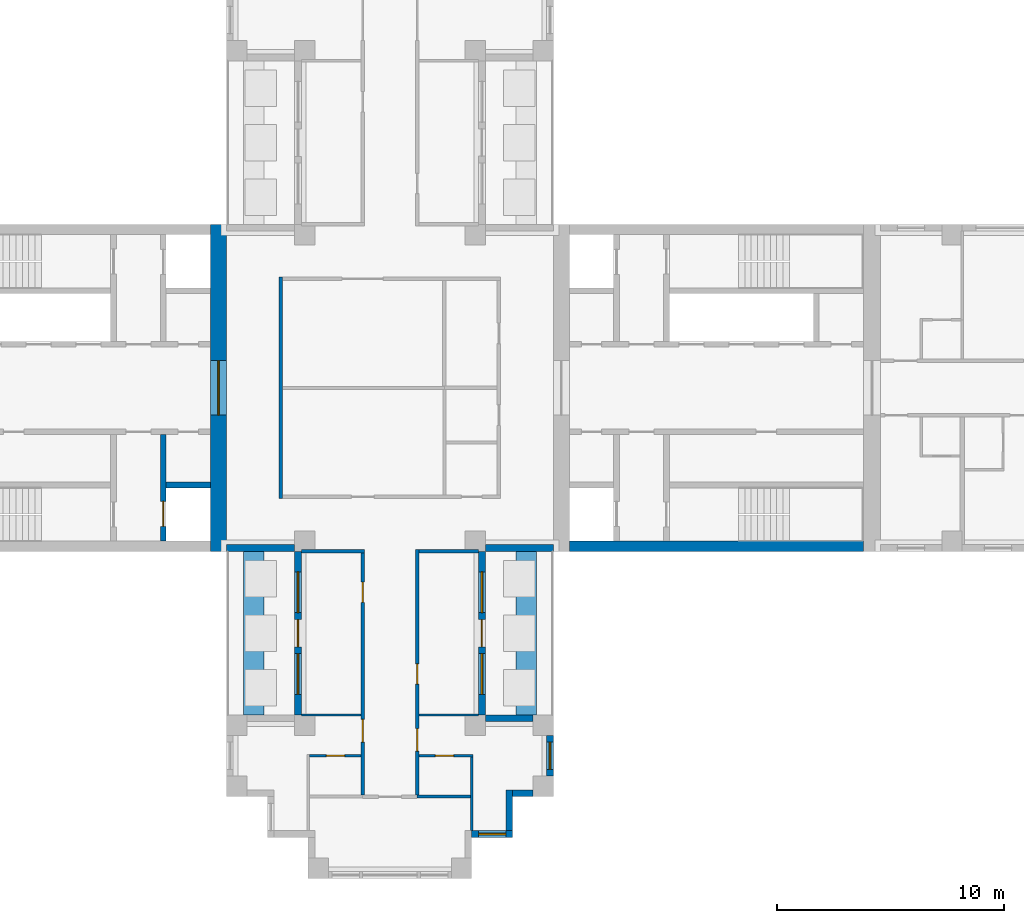
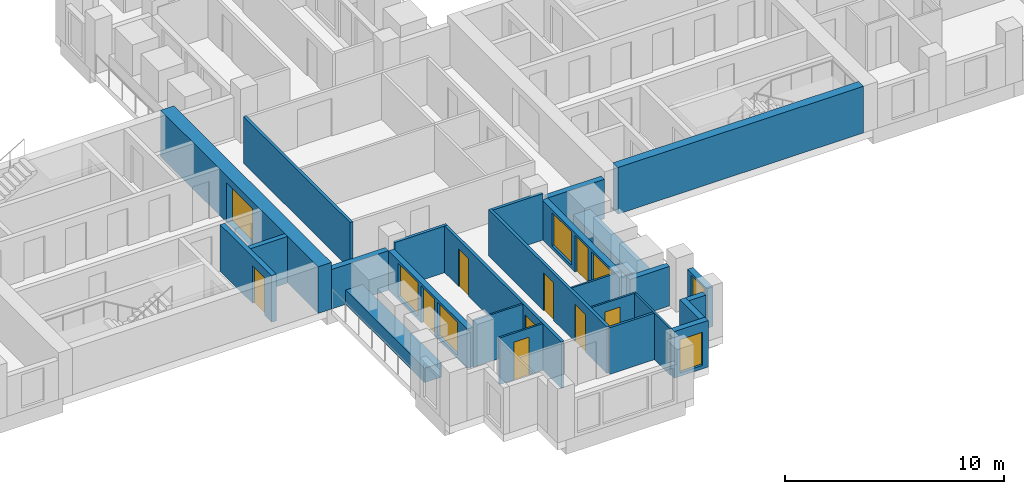
# One storey, part 5 of 12: 26 walls, 10 doors, 6 windows, 16 openings.
"""IFC4 building model written with IfcOpenShell, lengths in metres."""

import ifcopenshell
import ifcopenshell.guid

model = None  # the IFC model being written
_history = None  # IfcOwnerHistory: only IFC2X3 demands one
_inside = {}  # id of a spatial element -> (the spatial element, [elements in it])
_under = {}  # id of a project, library or spatial element -> (it, [spatial elements below it])
_declared = {}  # id of a project -> (the project, [libraries it declares])
_typed = {}  # id of a type object -> (the type object, [elements of that type])
_made_of = {}  # id of a material, layer set ... -> (it, [elements and type objects made of it])


def new_model(schema):
    """Start an empty IFC model of exactly this schema.

    Asked for "IFC4X3", IfcOpenShell would pick the latest addendum, in which some entities
    have other attributes; the version numbers below select the first issue.
    IFC2X3 requires an IfcOwnerHistory on every rooted entity: one is made here for all.
    """
    global model, _history
    if schema == "IFC4X3":
        model = ifcopenshell.file(schema_version=(4, 3, 0, 0))
    else:
        model = ifcopenshell.file(schema=schema)
    _inside.clear()
    _under.clear()
    _declared.clear()
    _typed.clear()
    _made_of.clear()
    _history = None
    if model.schema == "IFC2X3":
        org = make("IfcOrganization", Name="unknown")
        user = make(
            "IfcPersonAndOrganization",
            ThePerson=make("IfcPerson", FamilyName="unknown"),
            TheOrganization=org,
        )
        app = make(
            "IfcApplication",
            ApplicationDeveloper=org,
            Version="unknown",
            ApplicationFullName="unknown",
            ApplicationIdentifier="unknown",
        )
        _history = make(
            "IfcOwnerHistory",
            OwningUser=user,
            OwningApplication=app,
            ChangeAction="ADDED",
            CreationDate=0,
        )
    return model


def make(cls, **values):
    """One entity of the class cls with the attributes given. An attribute that is None is left unset."""
    return model.create_entity(
        cls, **{name: value for name, value in values.items() if value is not None}
    )


def rooted(cls, **values):
    """An entity with a GlobalId (a new one), such as an element, a storey or a relation."""
    return make(cls, GlobalId=ifcopenshell.guid.new(), OwnerHistory=_history, **values)


def si_unit(unit_type, name, prefix=None):
    """IfcSIUnit, for example si_unit("LENGTHUNIT", "METRE", prefix="MILLI")."""
    return make("IfcSIUnit", UnitType=unit_type, Prefix=prefix, Name=name)


def assignment(units):
    """IfcUnitAssignment: the units of a project."""
    return None if units is None else make("IfcUnitAssignment", Units=units)


def point(xyz):
    """IfcCartesianPoint."""
    return None if xyz is None else make("IfcCartesianPoint", Coordinates=xyz)


def direction(xyz):
    """IfcDirection."""
    return None if xyz is None else make("IfcDirection", DirectionRatios=xyz)


def frame(location, z_axis=None, x_axis=None):
    """IfcAxis2Placement3D, a coordinate frame: its origin and axes. An axis left out is left unset."""
    return make(
        "IfcAxis2Placement3D",
        Location=point(location),
        Axis=direction(z_axis),
        RefDirection=direction(x_axis),
    )


def frame_2d(location, x_axis=None):
    """IfcAxis2Placement2D, a coordinate frame in the plane: its origin and x axis."""
    return make(
        "IfcAxis2Placement2D", Location=point(location), RefDirection=direction(x_axis)
    )


def origin():
    """The frame at (0, 0, 0) with its axes left unset."""
    return frame((0.0, 0.0, 0.0))


def place(relative_to, where):
    """IfcLocalPlacement: puts the frame where relative to a parent placement (None: the world)."""
    return make(
        "IfcLocalPlacement", PlacementRelTo=relative_to, RelativePlacement=where
    )


def context(
    kind, dimensions, precision=None, world=None, true_north=None, identifier=None
):
    """IfcGeometricRepresentationContext, for example the 3D "Model" context."""
    return make(
        "IfcGeometricRepresentationContext",
        ContextIdentifier=identifier,
        ContextType=kind,
        CoordinateSpaceDimension=dimensions,
        Precision=precision,
        WorldCoordinateSystem=world,
        TrueNorth=true_north,
    )


def subcontext(parent, identifier, kind, view, scale=None):
    """IfcGeometricRepresentationSubContext, for example "Body" below "Model"."""
    return make(
        "IfcGeometricRepresentationSubContext",
        ContextIdentifier=identifier,
        ContextType=kind,
        ParentContext=parent,
        TargetScale=scale,
        TargetView=view,
    )


def project(units=None, contexts=None):
    """IfcProject with its units and contexts."""
    return rooted(
        "IfcProject",
        Name="project",
        RepresentationContexts=contexts,
        UnitsInContext=assignment(units),
    )


def spatial(cls, under=None, at=None, **own):
    """A site, building, storey or space (cls), placed at a placement, below another one or the project."""
    s = rooted(cls, ObjectPlacement=at, **own)
    if under is not None:
        _under.setdefault(under.id(), (under, []))[1].append(s)
    return s


def profile(cls, at=None, kind="AREA", **sizes):
    """A parametric profile (cls). Its sizes go by their IFC names, for example OverallWidth=200.0."""
    return make(cls, ProfileType=kind, Position=at, **sizes)


def rectangle(**sizes):
    """IfcRectangleProfileDef."""
    return profile("IfcRectangleProfileDef", **sizes)


def extrude(swept, where, along, depth):
    """IfcExtrudedAreaSolid: the profile swept, set in the frame where, extruded along a direction by depth."""
    return make(
        "IfcExtrudedAreaSolid",
        SweptArea=swept,
        Position=where,
        ExtrudedDirection=direction(along),
        Depth=depth,
    )


def shape(context_of_items, identifier, shape_type, items):
    """IfcShapeRepresentation: the items that make up one representation, for example the "Body"."""
    return make(
        "IfcShapeRepresentation",
        ContextOfItems=context_of_items,
        RepresentationIdentifier=identifier,
        RepresentationType=shape_type,
        Items=items,
    )


def material(Name=None, Category=None):
    """IfcMaterial."""
    return make("IfcMaterial", Name=Name, Category=Category)


def layer(
    of_material, thickness, ventilated=None, Name=None, Category=None, Priority=None
):
    """IfcMaterialLayer: one layer of a wall or slab, of a material (None: an air gap)."""
    return make(
        "IfcMaterialLayer",
        Material=of_material,
        LayerThickness=thickness,
        IsVentilated=ventilated,
        Name=Name,
        Category=Category,
        Priority=Priority,
    )


def layer_set(layers, Name=None):
    """IfcMaterialLayerSet."""
    return make("IfcMaterialLayerSet", MaterialLayers=layers, LayerSetName=Name)


def made_of(thing, what):
    """Note that an element or type object is made of a material, layer set ...; save() writes the relation."""
    if what is not None:
        _made_of.setdefault(what.id(), (what, []))[1].append(thing)
    return thing


def type_object(cls, material=None, **own):
    """A type object (cls), such as IfcWallType, which elements share."""
    return made_of(rooted(cls, **own), material)


def element(
    cls,
    number,
    at=None,
    inside=None,
    cuts=None,
    type_object=None,
    material=None,
    context=None,
    identifier="Body",
    shape_type=None,
    held_by="IfcProductDefinitionShape",
    body=None,
    shapes=None,
    **own,
):
    """One element of the class cls, such as IfcWall. Its Tag is "e" and its number.

    at: its placement. inside: the storey or other place that contains it. cuts: it is an
    opening in that element (IfcRelVoidsElement). A single representation is given by context,
    identifier, shape_type and body (its items); several are given by shapes. held_by: the class
    of the entity that holds the representations. save() writes the other relations.
    """
    e = rooted(cls, Tag="e%d" % number, ObjectPlacement=at, **own)
    if body is not None:
        shapes = [shape(context, identifier, shape_type, body)]
    if shapes is not None:
        e.Representation = make(held_by, Representations=shapes)
    if inside is not None:
        _inside.setdefault(inside.id(), (inside, []))[1].append(e)
    if cuts is not None:
        rooted(
            "IfcRelVoidsElement", RelatingBuildingElement=cuts, RelatedOpeningElement=e
        )
    if type_object is not None:
        _typed.setdefault(type_object.id(), (type_object, []))[1].append(e)
    return made_of(e, material)


def fill(opening, filler):
    """IfcRelFillsElement: the door or window that sits in an opening."""
    return rooted(
        "IfcRelFillsElement",
        RelatingOpeningElement=opening,
        RelatedBuildingElement=filler,
    )


def aggregate(whole, parts):
    """IfcRelAggregates: a whole, such as a stair, and the parts it consists of."""
    return rooted("IfcRelAggregates", RelatingObject=whole, RelatedObjects=parts)


def save(model, path):
    """Write the relations noted so far, then the file.

    IfcRelAggregates (storeys below a building ...), IfcRelContainedInSpatialStructure (elements
    in a storey), IfcRelDefinesByType, IfcRelAssociatesMaterial and IfcRelDeclares: one each for
    every whole, place, type object, material and project.
    """
    for whole, parts in _under.values():
        aggregate(whole, parts)
    for where, things in _inside.values():
        rooted(
            "IfcRelContainedInSpatialStructure",
            RelatedElements=things,
            RelatingStructure=where,
        )
    for kind, things in _typed.values():
        rooted("IfcRelDefinesByType", RelatedObjects=things, RelatingType=kind)
    for what, things in _made_of.values():
        rooted("IfcRelAssociatesMaterial", RelatedObjects=things, RelatingMaterial=what)
    for by, libraries in _declared.values():
        rooted("IfcRelDeclares", RelatingContext=by, RelatedDefinitions=libraries)
    model.write(path)


model = new_model("IFC4")

# Units and contexts
model_context = context("Model", 3, precision=1e-05, world=origin(), true_north=direction((0.0, 1.0)))
body_context = subcontext(model_context, "Body", "Model", "MODEL_VIEW")
ifc_project = project(units=[si_unit("LENGTHUNIT", "METRE"), si_unit("AREAUNIT", "SQUARE_METRE"), si_unit("VOLUMEUNIT", "CUBIC_METRE"), si_unit("PLANEANGLEUNIT", "RADIAN"), si_unit("MASSUNIT", "GRAM", prefix="KILO")], contexts=[model_context])

# Site, building, storey
site_placement = place(None, origin())
site = spatial("IfcSite", under=ifc_project, at=site_placement, CompositionType="ELEMENT")
building_placement = place(site_placement, origin())
building = spatial("IfcBuilding", under=site, at=building_placement, Name="Fustian Cross Tower", CompositionType="ELEMENT")
storey_placement = place(building_placement, frame((0.0, 0.0, 135.300048828125)))
storey = spatial("IfcBuildingStorey", under=building, at=storey_placement, Name="L42", CompositionType="ELEMENT", Elevation=135.300048828125)

# Walls
ifc_material_1 = material(Name="Plasterboard on steel stud", Category="steel")
ifc_layer_1 = layer(ifc_material_1, 0.14990234375)
ifc_layer_set_1 = layer_set([ifc_layer_1], Name="Plasterboard on steel stud")
wall_type_1 = type_object("IfcWallType", Name="COMPARTMENT WALL 150 EI 60", PredefinedType="PARTITIONING", material=ifc_layer_set_1)
wall_1_placement = place(storey_placement, frame((-4.800048828125, -4.875, 0.0), z_axis=(0.0, 0.0, 1.0), x_axis=(0.0, 1.0, 0.0)))
element("IfcWall", 1, at=wall_1_placement, inside=storey, type_object=wall_type_1, Name="Partition 16", PredefinedType="PARTITIONING", context=body_context, shape_type="SweptSolid", body=[
    extrude(rectangle(XDim=9.75, YDim=0.14990234375, at=frame_2d((4.875, 0.0))), origin(), (0.0, 0.0, 1.0), 2.599853515625),
])
wall_2_placement = place(storey_placement, frame((-3.89990234375, -7.199951171875, 0.0), z_axis=(0.0, 0.0, 1.0), x_axis=(1.0, 0.0, 0.0)))
element("IfcWall", 2, at=wall_2_placement, inside=storey, type_object=wall_type_1, Name="Partition 21", PredefinedType="PARTITIONING", context=body_context, shape_type="SweptSolid", body=[
    extrude(rectangle(XDim=2.77490234375, YDim=0.14990234375, at=frame_2d((1.387451171875, 0.0))), origin(), (0.0, 0.0, 1.0), 2.599853515625),
])

# Wall, openings, doors
wall_3_placement = place(storey_placement, frame((-1.199951171875, -17.925048828125, 0.0), z_axis=(0.0, 0.0, 1.0), x_axis=(0.0, 1.0, 0.0)))
wall_3 = element("IfcWall", 3, at=wall_3_placement, inside=storey, type_object=wall_type_1, Name="Partition 29", PredefinedType="PARTITIONING", context=body_context, shape_type="SweptSolid", body=[
    extrude(rectangle(XDim=10.650146484375, YDim=0.14990234375, at=frame_2d((5.3251953125, 0.0))), origin(), (0.0, 0.0, 1.0), 2.599853515625),
])
opening_1_placement = place(wall_3_placement, frame((8.47509765625, 0.0, 0.0)))
opening_1 = element("IfcOpeningElement", 4, at=opening_1_placement, cuts=wall_3, Name="Opening D19034", PredefinedType="OPENING", context=body_context, shape_type="SweptSolid", body=[
    extrude(rectangle(XDim=0.89990234375, YDim=2.10009765625, at=frame_2d((0.449951171875, 1.050048828125))), frame((0.0, 0.0849609375, 0.0), z_axis=(0.0, -1.0, 0.0), x_axis=(1.0, 0.0, 0.0)), (0.0, 0.0, 1.0), 0.169921875),
])
opening_2_placement = place(wall_3_placement, frame((2.324951171875, 0.0, 0.0)))
opening_2 = element("IfcOpeningElement", 5, at=opening_2_placement, cuts=wall_3, Name="Opening D19036", PredefinedType="OPENING", context=body_context, shape_type="SweptSolid", body=[
    extrude(rectangle(XDim=1.0, YDim=2.10009765625, at=frame_2d((0.5, 1.050048828125))), frame((0.0, 0.0849609375, 0.0), z_axis=(0.0, -1.0, 0.0), x_axis=(1.0, 0.0, 0.0)), (0.0, 0.0, 1.0), 0.169921875),
])
ifc_material_2 = material(Name="Timber fire door set", Category="wood")
door_type_1 = type_object("IfcDoorType", Name="FIRE SWING DOOR 1000 FD30S", OperationType="SINGLE_SWING_LEFT", PredefinedType="DOOR", material=ifc_material_2)
door_1_placement = place(opening_2_placement, origin())
door_1 = element("IfcDoor", 6, at=door_1_placement, inside=storey, type_object=door_type_1, Name="Door D19036", OperationType="SINGLE_SWING_RIGHT", OverallHeight=2.10009765625, OverallWidth=1.0, PredefinedType="DOOR", context=body_context, shape_type="SweptSolid", body=[
    extrude(rectangle(XDim=1.0, YDim=2.10009765625, at=frame_2d((0.5, 1.050048828125))), frame((0.0, 0.02490234375, 0.0), z_axis=(0.0, -1.0, 0.0), x_axis=(1.0, 0.0, 0.0)), (0.0, 0.0, 1.0), 0.050048828125),
])
fill(opening_2, door_1)
ifc_material_3 = material(Name="Timber fire door set", Category="wood")
door_type_2 = type_object("IfcDoorType", Name="FIRE SWING DOOR 900 FD30S", OperationType="SINGLE_SWING_LEFT", PredefinedType="DOOR", material=ifc_material_3)
door_2_placement = place(opening_1_placement, origin())
door_2 = element("IfcDoor", 7, at=door_2_placement, inside=storey, type_object=door_type_2, Name="Door D19034", OperationType="SINGLE_SWING_RIGHT", OverallHeight=2.10009765625, OverallWidth=0.89990234375, PredefinedType="DOOR", context=body_context, shape_type="SweptSolid", body=[
    extrude(rectangle(XDim=0.89990234375, YDim=2.10009765625, at=frame_2d((0.449951171875, 1.050048828125))), frame((0.0, 0.02490234375, 0.0), z_axis=(0.0, -1.0, 0.0), x_axis=(1.0, 0.0, 0.0)), (0.0, 0.0, 1.0), 0.050048828125),
])
fill(opening_1, door_2)

wall_4_placement = place(storey_placement, frame((1.199951171875, -17.925048828125, 0.0), z_axis=(0.0, 0.0, 1.0), x_axis=(0.0, 1.0, 0.0)))
wall_4 = element("IfcWall", 8, at=wall_4_placement, inside=storey, type_object=wall_type_1, Name="Partition 33", PredefinedType="PARTITIONING", context=body_context, shape_type="SweptSolid", body=[
    extrude(rectangle(XDim=10.800048828125, YDim=0.14990234375, at=frame_2d((5.39990234375, 0.0))), origin(), (0.0, 0.0, 1.0), 2.599853515625),
])
opening_3_placement = place(wall_4_placement, frame((4.875, 0.0, 0.0)))
opening_3 = element("IfcOpeningElement", 9, at=opening_3_placement, cuts=wall_4, Name="Opening D19031", PredefinedType="OPENING", context=body_context, shape_type="SweptSolid", body=[
    extrude(rectangle(XDim=0.89990234375, YDim=2.10009765625, at=frame_2d((0.449951171875, 1.050048828125))), frame((0.0, 0.0849609375, 0.0), z_axis=(0.0, -1.0, 0.0), x_axis=(1.0, 0.0, 0.0)), (0.0, 0.0, 1.0), 0.169921875),
])
opening_4_placement = place(wall_4_placement, frame((1.925048828125, 0.0, 0.0)))
opening_4 = element("IfcOpeningElement", 10, at=opening_4_placement, cuts=wall_4, Name="Opening D19033", PredefinedType="OPENING", context=body_context, shape_type="SweptSolid", body=[
    extrude(rectangle(XDim=1.0, YDim=2.10009765625, at=frame_2d((0.5, 1.050048828125))), frame((0.0, 0.0849609375, 0.0), z_axis=(0.0, -1.0, 0.0), x_axis=(1.0, 0.0, 0.0)), (0.0, 0.0, 1.0), 0.169921875),
])
door_3_placement = place(opening_4_placement, frame((1.0, 0.0, 0.0), z_axis=(0.0, 0.0, 1.0), x_axis=(-1.0, 0.0, 0.0)))
door_3 = element("IfcDoor", 11, at=door_3_placement, inside=storey, type_object=door_type_1, Name="Door D19033", OperationType="SINGLE_SWING_RIGHT", OverallHeight=2.10009765625, OverallWidth=1.0, PredefinedType="DOOR", context=body_context, shape_type="SweptSolid", body=[
    extrude(rectangle(XDim=1.0, YDim=2.10009765625, at=frame_2d((0.5, 1.050048828125))), frame((0.0, 0.02490234375, 0.0), z_axis=(0.0, -1.0, 0.0), x_axis=(1.0, 0.0, 0.0)), (0.0, 0.0, 1.0), 0.050048828125),
])
fill(opening_4, door_3)
door_4_placement = place(opening_3_placement, frame((0.89990234375, 0.0, 0.0), z_axis=(0.0, 0.0, 1.0), x_axis=(-1.0, 0.0, 0.0)))
door_4 = element("IfcDoor", 12, at=door_4_placement, inside=storey, type_object=door_type_2, Name="Door D19031", OperationType="SINGLE_SWING_RIGHT", OverallHeight=2.10009765625, OverallWidth=0.89990234375, PredefinedType="DOOR", context=body_context, shape_type="SweptSolid", body=[
    extrude(rectangle(XDim=0.89990234375, YDim=2.10009765625, at=frame_2d((0.449951171875, 1.050048828125))), frame((0.0, 0.02490234375, 0.0), z_axis=(0.0, -1.0, 0.0), x_axis=(1.0, 0.0, 0.0)), (0.0, 0.0, 1.0), 0.050048828125),
])
fill(opening_3, door_4)

# Wall
wall_5_placement = place(storey_placement, frame((1.27490234375, -7.199951171875, 0.0), z_axis=(0.0, 0.0, 1.0), x_axis=(1.0, 0.0, 0.0)))
element("IfcWall", 13, at=wall_5_placement, inside=storey, type_object=wall_type_1, Name="Partition 37", PredefinedType="PARTITIONING", context=body_context, shape_type="SweptSolid", body=[
    extrude(rectangle(XDim=2.625, YDim=0.14990234375, at=frame_2d((1.3125, 0.0))), origin(), (0.0, 0.0, 1.0), 2.599853515625),
])

# Wall, opening, door
ifc_material_4 = material(Name="Concrete C60/75", Category="concrete")
ifc_layer_2 = layer(ifc_material_4, 0.699951171875)
ifc_layer_set_2 = layer_set([ifc_layer_2], Name="Concrete C60/75")
wall_type_2 = type_object("IfcWallType", Name="CORE END WALL 700 C60/75", PredefinedType="SHEAR", material=ifc_layer_set_2)
wall_6_placement = place(storey_placement, frame((-7.550048828125, -7.199951171875, 0.0), z_axis=(0.0, 0.0, 1.0), x_axis=(0.0, 1.0, 0.0)))
wall_6 = element("IfcWall", 14, at=wall_6_placement, inside=storey, type_object=wall_type_2, Name="Core end wall", PredefinedType="SHEAR", context=body_context, shape_type="SweptSolid", body=[
    extrude(rectangle(XDim=14.39990234375, YDim=0.699951171875, at=frame_2d((7.199951171875, 0.0))), origin(), (0.0, 0.0, 1.0), 2.599853515625),
])
opening_5_placement = place(wall_6_placement, frame((6.0, 0.0, 0.0)))
opening_5 = element("IfcOpeningElement", 15, at=opening_5_placement, cuts=wall_6, Name="Opening CD-17-27", PredefinedType="OPENING", context=body_context, shape_type="SweptSolid", body=[
    extrude(rectangle(XDim=2.39990234375, YDim=2.199951171875, at=frame_2d((1.199951171875, 1.10009765625))), frame((0.0, 0.35986328125, 0.0), z_axis=(0.0, -1.0, 0.0), x_axis=(1.0, 0.0, 0.0)), (0.0, 0.0, 1.0), 0.719970703125),
])
ifc_material_5 = material(Name="Steel", Category="steel")
door_type_3 = type_object("IfcDoorType", Name="FIRE DOOR FD30S DOUBLE 2400X2200", OperationType="DOUBLE_DOOR_DOUBLE_SWING", PredefinedType="DOOR", material=ifc_material_5)
door_5_placement = place(opening_5_placement, origin())
door_5 = element("IfcDoor", 16, at=door_5_placement, inside=storey, type_object=door_type_3, Name="Core door CD-17-27", OperationType="DOUBLE_DOOR_DOUBLE_SWING", OverallHeight=2.199951171875, OverallWidth=2.39990234375, PredefinedType="DOOR", context=body_context, shape_type="SweptSolid", body=[
    extrude(rectangle(XDim=2.39990234375, YDim=2.199951171875, at=frame_2d((1.199951171875, 1.10009765625))), frame((0.0, 0.02490234375, 0.0), z_axis=(0.0, -1.0, 0.0), x_axis=(1.0, 0.0, 0.0)), (0.0, 0.0, 1.0), 0.050048828125),
])
fill(opening_5, door_5)

# Walls
ifc_material_6 = material(Name="Concrete C60/75", Category="concrete")
ifc_layer_3 = layer(ifc_material_6, 0.449951171875)
ifc_layer_set_3 = layer_set([ifc_layer_3], Name="Concrete C60/75")
wall_type_3 = type_object("IfcWallType", Name="CORE FACADE WALL 450 C60/75", PredefinedType="SHEAR", material=ifc_layer_set_3)
wall_7_placement = place(storey_placement, frame((7.89990234375, -6.97509765625, 0.0), z_axis=(0.0, 0.0, 1.0), x_axis=(1.0, 0.0, 0.0)))
element("IfcWall", 17, at=wall_7_placement, inside=storey, type_object=wall_type_3, Name="Core facade wall", PredefinedType="SHEAR", context=body_context, shape_type="SweptSolid", body=[
    extrude(rectangle(XDim=12.9501953125, YDim=0.449951171875, at=frame_2d((6.47509765625, 0.0))), origin(), (0.0, 0.0, 1.0), 2.599853515625),
])
ifc_material_7 = material(Name="Concrete C50/60", Category="concrete")
ifc_layer_4 = layer(ifc_material_7, 0.25)
ifc_layer_set_4 = layer_set([ifc_layer_4], Name="Concrete C50/60")
wall_type_4 = type_object("IfcWallType", Name="CORE SHAFT WALL 250 C50/60", PredefinedType="SHEAR", material=ifc_layer_set_4)
wall_8_placement = place(storey_placement, frame((-7.89990234375, -4.27490234375, 0.0), z_axis=(0.0, 0.0, 1.0), x_axis=(-1.0, 0.0, 0.0)))
element("IfcWall", 18, at=wall_8_placement, inside=storey, type_object=wall_type_4, Name="Core shaft wall", PredefinedType="SHEAR", context=body_context, shape_type="SweptSolid", body=[
    extrude(rectangle(XDim=1.9501953125, YDim=0.25, at=frame_2d((0.97509765625, 0.0))), origin(), (0.0, 0.0, 1.0), 2.599853515625),
])

# Wall, opening, door
wall_9_placement = place(storey_placement, frame((-9.97509765625, -2.050048828125, 0.0), z_axis=(0.0, 0.0, 1.0), x_axis=(0.0, -1.0, 0.0)))
wall_9 = element("IfcWall", 19, at=wall_9_placement, inside=storey, type_object=wall_type_4, Name="Core shaft wall", PredefinedType="SHEAR", context=body_context, shape_type="SweptSolid", body=[
    extrude(rectangle(XDim=4.699951171875, YDim=0.25, at=frame_2d((2.35009765625, 0.0))), origin(), (0.0, 0.0, 1.0), 2.599853515625),
])
opening_6_placement = place(wall_9_placement, frame((2.949951171875, 0.0, 0.0)))
opening_6 = element("IfcOpeningElement", 20, at=opening_6_placement, cuts=wall_9, Name="Opening LD", PredefinedType="OPENING", context=body_context, shape_type="SweptSolid", body=[
    extrude(rectangle(XDim=1.10009765625, YDim=2.10009765625, at=frame_2d((0.550048828125, 1.050048828125))), frame((0.0, 0.135009765625, 0.0), z_axis=(0.0, -1.0, 0.0), x_axis=(1.0, 0.0, 0.0)), (0.0, 0.0, 1.0), 0.27001953125),
])
ifc_material_8 = material(Name="Stainless steel", Category="steel")
door_type_4 = type_object("IfcDoorType", Name="LIFT LANDING DOOR 1100X2100", OperationType="SLIDING_TO_LEFT", PredefinedType="DOOR", material=ifc_material_8)
door_6_placement = place(opening_6_placement, origin())
door_6 = element("IfcDoor", 21, at=door_6_placement, inside=storey, type_object=door_type_4, Name="Landing door SV1W", OperationType="SLIDING_TO_LEFT", OverallHeight=2.10009765625, OverallWidth=1.10009765625, PredefinedType="DOOR", context=body_context, shape_type="SweptSolid", body=[
    extrude(rectangle(XDim=1.10009765625, YDim=2.10009765625, at=frame_2d((0.550048828125, 1.050048828125))), frame((0.0, 0.02490234375, 0.0), z_axis=(0.0, -1.0, 0.0), x_axis=(1.0, 0.0, 0.0)), (0.0, 0.0, 1.0), 0.050048828125),
])
fill(opening_6, door_6)

# Wall
ifc_material_9 = material(Name="Plasterboard on steel stud", Category="steel")
ifc_layer_5 = layer(ifc_material_9, 0.10009765625)
ifc_layer_set_5 = layer_set([ifc_layer_5], Name="Plasterboard on steel stud")
wall_type_5 = type_object("IfcWallType", Name="PARTITION 100 STUD", PredefinedType="PARTITIONING", material=ifc_layer_set_5)
wall_10_placement = place(storey_placement, frame((-3.89990234375, -14.39990234375, 0.0), z_axis=(0.0, 0.0, 1.0), x_axis=(1.0, 0.0, 0.0)))
element("IfcWall", 22, at=wall_10_placement, inside=storey, type_object=wall_type_5, Name="Partition 20", PredefinedType="PARTITIONING", context=body_context, shape_type="SweptSolid", body=[
    extrude(rectangle(XDim=2.625, YDim=0.10009765625, at=frame_2d((1.3125, 0.0))), origin(), (0.0, 0.0, 1.0), 2.599853515625),
])

# Wall, opening, door
wall_11_placement = place(storey_placement, frame((-3.550048828125, -16.199951171875, 0.0), z_axis=(0.0, 0.0, 1.0), x_axis=(1.0, 0.0, 0.0)))
wall_11 = element("IfcWall", 23, at=wall_11_placement, inside=storey, type_object=wall_type_5, Name="Partition 26", PredefinedType="PARTITIONING", context=body_context, shape_type="SweptSolid", body=[
    extrude(rectangle(XDim=2.275146484375, YDim=0.10009765625, at=frame_2d((1.1376953125, 0.0))), origin(), (0.0, 0.0, 1.0), 2.599853515625),
])
opening_7_placement = place(wall_11_placement, frame((0.75, 0.0, 0.0)))
opening_7 = element("IfcOpeningElement", 24, at=opening_7_placement, cuts=wall_11, Name="Opening D19035", PredefinedType="OPENING", context=body_context, shape_type="SweptSolid", body=[
    extrude(rectangle(XDim=0.800048828125, YDim=2.10009765625, at=frame_2d((0.39990234375, 1.050048828125))), frame((0.0, 0.06005859375, 0.0), z_axis=(0.0, -1.0, 0.0), x_axis=(1.0, 0.0, 0.0)), (0.0, 0.0, 1.0), 0.1201171875),
])
ifc_material_10 = material(Name="Painted timber", Category="wood")
door_type_5 = type_object("IfcDoorType", Name="SWING DOOR 800", OperationType="SINGLE_SWING_LEFT", PredefinedType="DOOR", material=ifc_material_10)
door_7_placement = place(opening_7_placement, frame((0.800048828125, 0.0, 0.0), z_axis=(0.0, 0.0, 1.0), x_axis=(-1.0, 0.0, 0.0)))
door_7 = element("IfcDoor", 25, at=door_7_placement, inside=storey, type_object=door_type_5, Name="Door D19035", OperationType="SINGLE_SWING_RIGHT", OverallHeight=2.10009765625, OverallWidth=0.800048828125, PredefinedType="DOOR", context=body_context, shape_type="SweptSolid", body=[
    extrude(rectangle(XDim=0.800048828125, YDim=2.10009765625, at=frame_2d((0.39990234375, 1.050048828125))), frame((0.0, 0.02490234375, 0.0), z_axis=(0.0, -1.0, 0.0), x_axis=(1.0, 0.0, 0.0)), (0.0, 0.0, 1.0), 0.050048828125),
])
fill(opening_7, door_7)

wall_12_placement = place(storey_placement, frame((1.27490234375, -16.199951171875, 0.0), z_axis=(0.0, 0.0, 1.0), x_axis=(1.0, 0.0, 0.0)))
wall_12 = element("IfcWall", 26, at=wall_12_placement, inside=storey, type_object=wall_type_5, Name="Partition 35", PredefinedType="PARTITIONING", context=body_context, shape_type="SweptSolid", body=[
    extrude(rectangle(XDim=2.375, YDim=0.10009765625, at=frame_2d((1.1875, 0.0))), origin(), (0.0, 0.0, 1.0), 2.599853515625),
])
opening_8_placement = place(wall_12_placement, frame((0.72509765625, 0.0, 0.0)))
opening_8 = element("IfcOpeningElement", 27, at=opening_8_placement, cuts=wall_12, Name="Opening D19032", PredefinedType="OPENING", context=body_context, shape_type="SweptSolid", body=[
    extrude(rectangle(XDim=0.800048828125, YDim=2.10009765625, at=frame_2d((0.39990234375, 1.050048828125))), frame((0.0, 0.06005859375, 0.0), z_axis=(0.0, -1.0, 0.0), x_axis=(1.0, 0.0, 0.0)), (0.0, 0.0, 1.0), 0.1201171875),
])
door_8_placement = place(opening_8_placement, frame((0.800048828125, 0.0, 0.0), z_axis=(0.0, 0.0, 1.0), x_axis=(-1.0, 0.0, 0.0)))
door_8 = element("IfcDoor", 28, at=door_8_placement, inside=storey, type_object=door_type_5, Name="Door D19032", OperationType="SINGLE_SWING_RIGHT", OverallHeight=2.10009765625, OverallWidth=0.800048828125, PredefinedType="DOOR", context=body_context, shape_type="SweptSolid", body=[
    extrude(rectangle(XDim=0.800048828125, YDim=2.10009765625, at=frame_2d((0.39990234375, 1.050048828125))), frame((0.0, 0.02490234375, 0.0), z_axis=(0.0, -1.0, 0.0), x_axis=(1.0, 0.0, 0.0)), (0.0, 0.0, 1.0), 0.050048828125),
])
fill(opening_8, door_8)

# Walls
wall_13_placement = place(storey_placement, frame((1.27490234375, -14.39990234375, 0.0), z_axis=(0.0, 0.0, 1.0), x_axis=(1.0, 0.0, 0.0)))
element("IfcWall", 29, at=wall_13_placement, inside=storey, type_object=wall_type_5, Name="Partition 36", PredefinedType="PARTITIONING", context=body_context, shape_type="SweptSolid", body=[
    extrude(rectangle(XDim=2.625, YDim=0.10009765625, at=frame_2d((1.3125, 0.0))), origin(), (0.0, 0.0, 1.0), 2.599853515625),
])
wall_14_placement = place(storey_placement, frame((3.60009765625, -19.5, 0.0), z_axis=(0.0, 0.0, 1.0), x_axis=(0.0, 1.0, 0.0)))
element("IfcWall", 30, at=wall_14_placement, inside=storey, type_object=wall_type_5, Name="Partition 46", PredefinedType="PARTITIONING", context=body_context, shape_type="SweptSolid", body=[
    extrude(rectangle(XDim=3.25, YDim=0.10009765625, at=frame_2d((1.625, 0.0))), origin(), (0.0, 0.0, 1.0), 2.599853515625),
])
ifc_material_11 = material(Name="Concrete C40/50", Category="concrete")
ifc_layer_6 = layer(ifc_material_11, 0.89990234375)
ifc_layer_set_6 = layer_set([ifc_layer_6], Name="Concrete C40/50")
wall_type_6 = type_object("IfcWallType", Name="PK1 PLANTER 900", PredefinedType="PARAPET", material=ifc_layer_set_6)
for number, where, z_axis, x_axis, name in (
    (31, (6.0, -14.39990234375, 0.0), (0.0, 0.0, 1.0), (0.0, 1.0, 0.0), "PLANTER"),
    (32, (-6.0, -14.39990234375, 0.0), (0.0, 0.0, 1.0), (0.0, 1.0, 0.0), "PLANTER"),
):
    element("IfcWall", number, at=place(storey_placement, frame(where, z_axis=z_axis, x_axis=x_axis)), inside=storey, type_object=wall_type_6, Name=name, PredefinedType="PARAPET", context=body_context, shape_type="SweptSolid", body=[
        extrude(rectangle(XDim=7.199951171875, YDim=0.89990234375, at=frame_2d((3.60009765625, 0.0))), origin(), (0.0, 0.0, 1.0), 0.800048828125),
    ])
ifc_material_12 = material(Name="Plasterboard on steel stud", Category="steel")
ifc_layer_7 = layer(ifc_material_12, 0.125)
ifc_layer_set_7 = layer_set([ifc_layer_7], Name="Plasterboard on steel stud")
wall_type_7 = type_object("IfcWallType", Name="WET WALL 125 STUD", PredefinedType="PARTITIONING", material=ifc_layer_set_7)
wall_15_placement = place(storey_placement, frame((1.199951171875, -18.0, 0.0), z_axis=(0.0, 0.0, 1.0), x_axis=(1.0, 0.0, 0.0)))
element("IfcWall", 33, at=wall_15_placement, inside=storey, type_object=wall_type_7, Name="Partition 34", PredefinedType="PARTITIONING", context=body_context, shape_type="SweptSolid", body=[
    extrude(rectangle(XDim=2.35009765625, YDim=0.125, at=frame_2d((1.175048828125, 0.0))), origin(), (0.0, 0.0, 1.0), 2.599853515625),
])
ifc_material_13 = material(Name="Dark aluminium cladding on insulated backing wall", Category="aluminium")
ifc_layer_8 = layer(ifc_material_13, 0.300048828125)
ifc_layer_set_8 = layer_set([ifc_layer_8], Name="Dark aluminium cladding on insulated backing wall")
wall_type_8 = type_object("IfcWallType", Name="XW1 EXTERNAL WALL 300", PredefinedType="SOLIDWALL", material=ifc_layer_set_8)
wall_16_placement = place(storey_placement, frame((-7.199951171875, -7.050048828125, 0.0), z_axis=(0.0, 0.0, 1.0), x_axis=(1.0, 0.0, 0.0)))
element("IfcWall", 34, at=wall_16_placement, inside=storey, type_object=wall_type_8, Name="External wall", PredefinedType="SOLIDWALL", context=body_context, shape_type="SweptSolid", body=[
    extrude(rectangle(XDim=3.0, YDim=0.300048828125, at=frame_2d((1.5, 0.0))), origin(), (0.0, 0.0, 1.0), 2.199951171875),
])

# Wall, openings, door, windows
wall_17_placement = place(storey_placement, frame((-4.050048828125, -7.199951171875, 0.0), z_axis=(0.0, 0.0, 1.0), x_axis=(0.0, -1.0, 0.0)))
wall_17 = element("IfcWall", 35, at=wall_17_placement, inside=storey, type_object=wall_type_8, Name="External wall", PredefinedType="SOLIDWALL", context=body_context, shape_type="SweptSolid", body=[
    extrude(rectangle(XDim=7.199951171875, YDim=0.300048828125, at=frame_2d((3.60009765625, 0.0))), origin(), (0.0, 0.0, 1.0), 2.199951171875),
])
opening_9_placement = place(wall_17_placement, frame((3.0, 0.0, 0.0)))
opening_9 = element("IfcOpeningElement", 36, at=opening_9_placement, cuts=wall_17, Name="Opening XD4", PredefinedType="OPENING", context=body_context, shape_type="SweptSolid", body=[
    extrude(rectangle(XDim=1.199951171875, YDim=2.050048828125, at=frame_2d((0.60009765625, 1.02490234375))), frame((0.0, 0.159912109375, 0.0), z_axis=(0.0, -1.0, 0.0), x_axis=(1.0, 0.0, 0.0)), (0.0, 0.0, 1.0), 0.320068359375),
])
opening_10_placement = place(wall_17_placement, frame((0.89990234375, 0.0, 0.199951171875)))
opening_10 = element("IfcOpeningElement", 37, at=opening_10_placement, cuts=wall_17, Name="Opening WN2", PredefinedType="OPENING", context=body_context, shape_type="SweptSolid", body=[
    extrude(rectangle(XDim=1.800048828125, YDim=1.85009765625, at=frame_2d((0.89990234375, 0.925048828125))), frame((0.0, 0.159912109375, 0.0), z_axis=(0.0, -1.0, 0.0), x_axis=(1.0, 0.0, 0.0)), (0.0, 0.0, 1.0), 0.320068359375),
])
opening_11_placement = place(wall_17_placement, frame((4.5, 0.0, 0.199951171875)))
opening_11 = element("IfcOpeningElement", 38, at=opening_11_placement, cuts=wall_17, Name="Opening WN2", PredefinedType="OPENING", context=body_context, shape_type="SweptSolid", body=[
    extrude(rectangle(XDim=1.800048828125, YDim=1.85009765625, at=frame_2d((0.89990234375, 0.925048828125))), frame((0.0, 0.159912109375, 0.0), z_axis=(0.0, -1.0, 0.0), x_axis=(1.0, 0.0, 0.0)), (0.0, 0.0, 1.0), 0.320068359375),
])
ifc_material_14 = material(Name="Dark anodised aluminium and double glazing", Category="aluminium")
door_type_6 = type_object("IfcDoorType", Name="ED1 BALCONY DOOR 1200X2050", OperationType="SINGLE_SWING_LEFT", PredefinedType="DOOR", material=ifc_material_14)
door_9_placement = place(opening_9_placement, origin())
door_9 = element("IfcDoor", 39, at=door_9_placement, inside=storey, type_object=door_type_6, Name="Balcony door", OperationType="SINGLE_SWING_LEFT", OverallHeight=2.050048828125, OverallWidth=1.199951171875, PredefinedType="DOOR", context=body_context, shape_type="SweptSolid", body=[
    extrude(rectangle(XDim=1.199951171875, YDim=2.050048828125, at=frame_2d((0.60009765625, 1.02490234375))), frame((0.0, 0.02490234375, 0.0), z_axis=(0.0, -1.0, 0.0), x_axis=(1.0, 0.0, 0.0)), (0.0, 0.0, 1.0), 0.050048828125),
])
fill(opening_9, door_9)
ifc_material_15 = material(Name="Dark anodised aluminium and double glazing", Category="aluminium")
window_type_1 = type_object("IfcWindowType", Name="WN2 WINDOW 1800X1850", PartitioningType="SINGLE_PANEL", PredefinedType="WINDOW", material=ifc_material_15)
window_1_placement = place(opening_10_placement, origin())
window_1 = element("IfcWindow", 40, at=window_1_placement, inside=storey, type_object=window_type_1, Name="Window", OverallHeight=1.85009765625, OverallWidth=1.800048828125, PartitioningType="SINGLE_PANEL", PredefinedType="WINDOW", context=body_context, shape_type="SweptSolid", body=[
    extrude(rectangle(XDim=1.800048828125, YDim=1.85009765625, at=frame_2d((0.89990234375, 0.925048828125))), frame((0.0, 0.030029296875, 0.0), z_axis=(0.0, -1.0, 0.0), x_axis=(1.0, 0.0, 0.0)), (0.0, 0.0, 1.0), 0.06005859375),
])
fill(opening_10, window_1)
window_2_placement = place(opening_11_placement, origin())
window_2 = element("IfcWindow", 41, at=window_2_placement, inside=storey, type_object=window_type_1, Name="Window", OverallHeight=1.85009765625, OverallWidth=1.800048828125, PartitioningType="SINGLE_PANEL", PredefinedType="WINDOW", context=body_context, shape_type="SweptSolid", body=[
    extrude(rectangle(XDim=1.800048828125, YDim=1.85009765625, at=frame_2d((0.89990234375, 0.925048828125))), frame((0.0, 0.030029296875, 0.0), z_axis=(0.0, -1.0, 0.0), x_axis=(1.0, 0.0, 0.0)), (0.0, 0.0, 1.0), 0.06005859375),
])
fill(opening_11, window_2)

# Wall, opening, window
wall_18_placement = place(storey_placement, frame((3.60009765625, -19.64990234375, 0.0), z_axis=(0.0, 0.0, 1.0), x_axis=(1.0, 0.0, 0.0)))
wall_18 = element("IfcWall", 42, at=wall_18_placement, inside=storey, type_object=wall_type_8, Name="External wall", PredefinedType="SOLIDWALL", context=body_context, shape_type="SweptSolid", body=[
    extrude(rectangle(XDim=1.7998046875, YDim=0.300048828125, at=frame_2d((0.89990234375, 0.0))), origin(), (0.0, 0.0, 1.0), 2.599853515625),
])
opening_12_placement = place(wall_18_placement, frame((0.300048828125, 0.0, 0.199951171875)))
opening_12 = element("IfcOpeningElement", 43, at=opening_12_placement, cuts=wall_18, Name="Opening WN3", PredefinedType="OPENING", context=body_context, shape_type="SweptSolid", body=[
    extrude(rectangle(XDim=1.199951171875, YDim=1.85009765625, at=frame_2d((0.60009765625, 0.925048828125))), frame((0.0, 0.159912109375, 0.0), z_axis=(0.0, -1.0, 0.0), x_axis=(1.0, 0.0, 0.0)), (0.0, 0.0, 1.0), 0.320068359375),
])
ifc_material_16 = material(Name="Dark anodised aluminium and double glazing", Category="aluminium")
window_type_2 = type_object("IfcWindowType", Name="WN3 WINDOW 1200X1850", PartitioningType="SINGLE_PANEL", PredefinedType="WINDOW", material=ifc_material_16)
window_3_placement = place(opening_12_placement, origin())
window_3 = element("IfcWindow", 44, at=window_3_placement, inside=storey, type_object=window_type_2, Name="Window", OverallHeight=1.85009765625, OverallWidth=1.199951171875, PartitioningType="SINGLE_PANEL", PredefinedType="WINDOW", context=body_context, shape_type="SweptSolid", body=[
    extrude(rectangle(XDim=1.199951171875, YDim=1.85009765625, at=frame_2d((0.60009765625, 0.925048828125))), frame((0.0, 0.030029296875, 0.0), z_axis=(0.0, -1.0, 0.0), x_axis=(1.0, 0.0, 0.0)), (0.0, 0.0, 1.0), 0.06005859375),
])
fill(opening_12, window_3)

# Walls
wall_19_placement = place(storey_placement, frame((5.25, -19.5, 0.0), z_axis=(0.0, 0.0, 1.0), x_axis=(0.0, 1.0, 0.0)))
element("IfcWall", 45, at=wall_19_placement, inside=storey, type_object=wall_type_8, Name="External wall", PredefinedType="SOLIDWALL", context=body_context, shape_type="SweptSolid", body=[
    extrude(rectangle(XDim=1.800048828125, YDim=0.300048828125, at=frame_2d((0.89990234375, 0.0))), origin(), (0.0, 0.0, 1.0), 2.599853515625),
])
wall_20_placement = place(storey_placement, frame((5.39990234375, -17.85009765625, 0.0), z_axis=(0.0, 0.0, 1.0), x_axis=(1.0, 0.0, 0.0)))
element("IfcWall", 46, at=wall_20_placement, inside=storey, type_object=wall_type_8, Name="External wall", PredefinedType="SOLIDWALL", context=body_context, shape_type="SweptSolid", body=[
    extrude(rectangle(XDim=0.900146484375, YDim=0.300048828125, at=frame_2d((0.4501953125, 0.0))), origin(), (0.0, 0.0, 1.0), 2.599853515625),
])

# Wall, opening, window
wall_21_placement = place(storey_placement, frame((7.050048828125, -17.10009765625, 0.0), z_axis=(0.0, 0.0, 1.0), x_axis=(0.0, 1.0, 0.0)))
wall_21 = element("IfcWall", 47, at=wall_21_placement, inside=storey, type_object=wall_type_8, Name="External wall", PredefinedType="SOLIDWALL", context=body_context, shape_type="SweptSolid", body=[
    extrude(rectangle(XDim=1.800048828125, YDim=0.300048828125, at=frame_2d((0.89990234375, 0.0))), origin(), (0.0, 0.0, 1.0), 2.199951171875),
])
opening_13_placement = place(wall_21_placement, frame((0.300048828125, 0.0, 0.199951171875)))
opening_13 = element("IfcOpeningElement", 48, at=opening_13_placement, cuts=wall_21, Name="Opening WN3", PredefinedType="OPENING", context=body_context, shape_type="SweptSolid", body=[
    extrude(rectangle(XDim=1.199951171875, YDim=1.85009765625, at=frame_2d((0.60009765625, 0.925048828125))), frame((0.0, 0.159912109375, 0.0), z_axis=(0.0, -1.0, 0.0), x_axis=(1.0, 0.0, 0.0)), (0.0, 0.0, 1.0), 0.320068359375),
])
window_4_placement = place(opening_13_placement, origin())
window_4 = element("IfcWindow", 49, at=window_4_placement, inside=storey, type_object=window_type_2, Name="Window", OverallHeight=1.85009765625, OverallWidth=1.199951171875, PartitioningType="SINGLE_PANEL", PredefinedType="WINDOW", context=body_context, shape_type="SweptSolid", body=[
    extrude(rectangle(XDim=1.199951171875, YDim=1.85009765625, at=frame_2d((0.60009765625, 0.925048828125))), frame((0.0, 0.030029296875, 0.0), z_axis=(0.0, -1.0, 0.0), x_axis=(1.0, 0.0, 0.0)), (0.0, 0.0, 1.0), 0.06005859375),
])
fill(opening_13, window_4)

# Wall
wall_22_placement = place(storey_placement, frame((6.300048828125, -14.550048828125, 0.0), z_axis=(0.0, 0.0, 1.0), x_axis=(-1.0, 0.0, 0.0)))
element("IfcWall", 50, at=wall_22_placement, inside=storey, type_object=wall_type_8, Name="External wall", PredefinedType="SOLIDWALL", context=body_context, shape_type="SweptSolid", body=[
    extrude(rectangle(XDim=2.10009765625, YDim=0.300048828125, at=frame_2d((1.050048828125, 0.0))), origin(), (0.0, 0.0, 1.0), 2.199951171875),
])

# Wall, openings, door, windows
wall_23_placement = place(storey_placement, frame((4.050048828125, -14.39990234375, 0.0), z_axis=(0.0, 0.0, 1.0), x_axis=(0.0, 1.0, 0.0)))
wall_23 = element("IfcWall", 51, at=wall_23_placement, inside=storey, type_object=wall_type_8, Name="External wall", PredefinedType="SOLIDWALL", context=body_context, shape_type="SweptSolid", body=[
    extrude(rectangle(XDim=7.199951171875, YDim=0.300048828125, at=frame_2d((3.60009765625, 0.0))), origin(), (0.0, 0.0, 1.0), 2.199951171875),
])
opening_14_placement = place(wall_23_placement, frame((3.0, 0.0, 0.0)))
opening_14 = element("IfcOpeningElement", 52, at=opening_14_placement, cuts=wall_23, Name="Opening XD3", PredefinedType="OPENING", context=body_context, shape_type="SweptSolid", body=[
    extrude(rectangle(XDim=1.199951171875, YDim=2.050048828125, at=frame_2d((0.60009765625, 1.02490234375))), frame((0.0, 0.159912109375, 0.0), z_axis=(0.0, -1.0, 0.0), x_axis=(1.0, 0.0, 0.0)), (0.0, 0.0, 1.0), 0.320068359375),
])
opening_15_placement = place(wall_23_placement, frame((0.89990234375, 0.0, 0.199951171875)))
opening_15 = element("IfcOpeningElement", 53, at=opening_15_placement, cuts=wall_23, Name="Opening WN2", PredefinedType="OPENING", context=body_context, shape_type="SweptSolid", body=[
    extrude(rectangle(XDim=1.800048828125, YDim=1.85009765625, at=frame_2d((0.89990234375, 0.925048828125))), frame((0.0, 0.159912109375, 0.0), z_axis=(0.0, -1.0, 0.0), x_axis=(1.0, 0.0, 0.0)), (0.0, 0.0, 1.0), 0.320068359375),
])
opening_16_placement = place(wall_23_placement, frame((4.5, 0.0, 0.199951171875)))
opening_16 = element("IfcOpeningElement", 54, at=opening_16_placement, cuts=wall_23, Name="Opening WN2", PredefinedType="OPENING", context=body_context, shape_type="SweptSolid", body=[
    extrude(rectangle(XDim=1.800048828125, YDim=1.85009765625, at=frame_2d((0.89990234375, 0.925048828125))), frame((0.0, 0.159912109375, 0.0), z_axis=(0.0, -1.0, 0.0), x_axis=(1.0, 0.0, 0.0)), (0.0, 0.0, 1.0), 0.320068359375),
])
door_10_placement = place(opening_14_placement, origin())
door_10 = element("IfcDoor", 55, at=door_10_placement, inside=storey, type_object=door_type_6, Name="Balcony door", OperationType="SINGLE_SWING_LEFT", OverallHeight=2.050048828125, OverallWidth=1.199951171875, PredefinedType="DOOR", context=body_context, shape_type="SweptSolid", body=[
    extrude(rectangle(XDim=1.199951171875, YDim=2.050048828125, at=frame_2d((0.60009765625, 1.02490234375))), frame((0.0, 0.02490234375, 0.0), z_axis=(0.0, -1.0, 0.0), x_axis=(1.0, 0.0, 0.0)), (0.0, 0.0, 1.0), 0.050048828125),
])
fill(opening_14, door_10)
window_5_placement = place(opening_15_placement, origin())
window_5 = element("IfcWindow", 56, at=window_5_placement, inside=storey, type_object=window_type_1, Name="Window", OverallHeight=1.85009765625, OverallWidth=1.800048828125, PartitioningType="SINGLE_PANEL", PredefinedType="WINDOW", context=body_context, shape_type="SweptSolid", body=[
    extrude(rectangle(XDim=1.800048828125, YDim=1.85009765625, at=frame_2d((0.89990234375, 0.925048828125))), frame((0.0, 0.030029296875, 0.0), z_axis=(0.0, -1.0, 0.0), x_axis=(1.0, 0.0, 0.0)), (0.0, 0.0, 1.0), 0.06005859375),
])
fill(opening_15, window_5)
window_6_placement = place(opening_16_placement, origin())
window_6 = element("IfcWindow", 57, at=window_6_placement, inside=storey, type_object=window_type_1, Name="Window", OverallHeight=1.85009765625, OverallWidth=1.800048828125, PartitioningType="SINGLE_PANEL", PredefinedType="WINDOW", context=body_context, shape_type="SweptSolid", body=[
    extrude(rectangle(XDim=1.800048828125, YDim=1.85009765625, at=frame_2d((0.89990234375, 0.925048828125))), frame((0.0, 0.030029296875, 0.0), z_axis=(0.0, -1.0, 0.0), x_axis=(1.0, 0.0, 0.0)), (0.0, 0.0, 1.0), 0.06005859375),
])
fill(opening_16, window_6)

# Wall
wall_24_placement = place(storey_placement, frame((4.199951171875, -7.050048828125, 0.0), z_axis=(0.0, 0.0, 1.0), x_axis=(1.0, 0.0, 0.0)))
element("IfcWall", 58, at=wall_24_placement, inside=storey, type_object=wall_type_8, Name="External wall", PredefinedType="SOLIDWALL", context=body_context, shape_type="SweptSolid", body=[
    extrude(rectangle(XDim=3.0, YDim=0.300048828125, at=frame_2d((1.5, 0.0))), origin(), (0.0, 0.0, 1.0), 2.199951171875),
])

save(model, "model.ifc")
